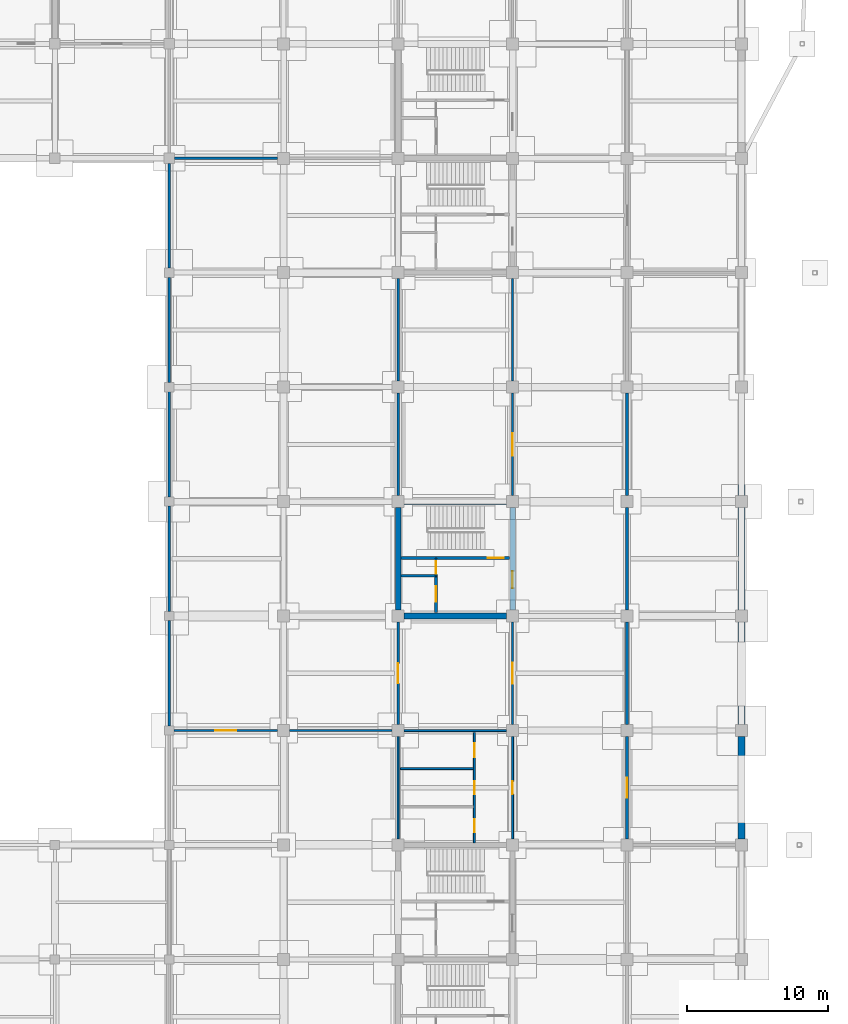
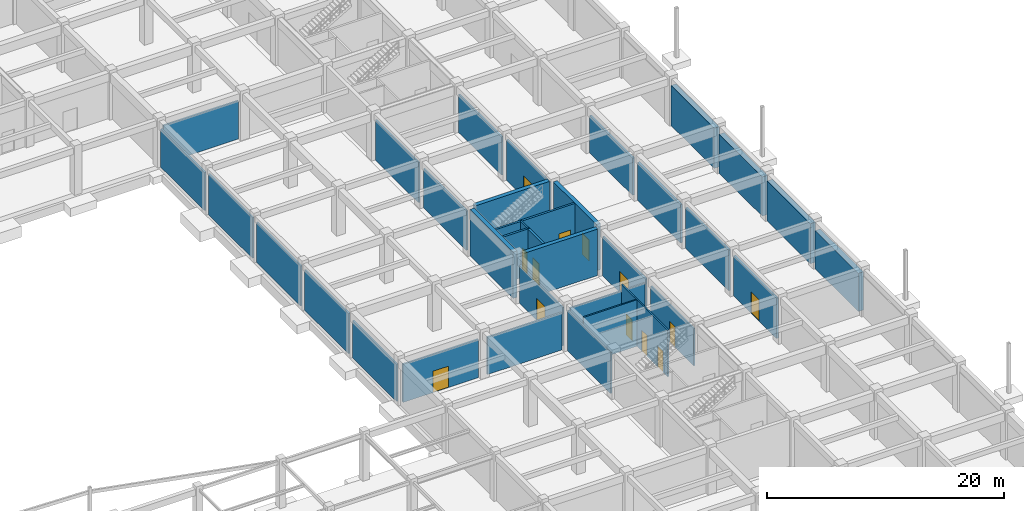
# One storey, part 52 of 67: 35 walls, 13 doors, 13 openings.
"""IFC4 building model written with IfcOpenShell, lengths in metres."""

from ifc_helpers import new_model, si_unit, direction, frame, frame_2d, origin, place, context, subcontext, project, spatial, rectangle, extrude, material, layer, layer_set, type_object, element, fill, save


model = new_model("IFC4")

# Units and contexts
model_context = context("Model", 3, precision=1e-05, world=origin(), true_north=direction((0.0, 1.0)))
body_context = subcontext(model_context, "Body", "Model", "MODEL_VIEW")
ifc_project = project(units=[si_unit("LENGTHUNIT", "METRE"), si_unit("AREAUNIT", "SQUARE_METRE"), si_unit("VOLUMEUNIT", "CUBIC_METRE"), si_unit("PLANEANGLEUNIT", "RADIAN"), si_unit("MASSUNIT", "GRAM", prefix="KILO")], contexts=[model_context])

# Site, building, storey
site_placement = place(None, origin())
site = spatial("IfcSite", under=ifc_project, at=site_placement, CompositionType="ELEMENT")
building_placement = place(site_placement, origin())
building = spatial("IfcBuilding", under=site, at=building_placement, Name="Vaudrelin Polytechnic", CompositionType="ELEMENT")
storey_placement = place(building_placement, frame((0.0, 0.0, -5.10009765625)))
storey = spatial("IfcBuildingStorey", under=building, at=storey_placement, Name="B1", CompositionType="ELEMENT", Elevation=-5.10009765625)

# Wall, opening, door
ifc_material_1 = material(Name="Concrete masonry unit 20 MPa shaft & corridor fire wall", Category="masonry")
ifc_layer_1 = layer(ifc_material_1, 0.199951171875)
ifc_layer_set_1 = layer_set([ifc_layer_1], Name="Concrete masonry unit 20 MPa shaft & corridor fire wall")
wall_type_1 = type_object("IfcWallType", Name="WAL-PW-FIRE120", PredefinedType="PARTITIONING", material=ifc_layer_set_1)
wall_1_placement = place(storey_placement, frame((162.0, 49.02294921875, 0.0), z_axis=(0.0, 0.0, 1.0), x_axis=(0.0, 1.0, 0.0)))
wall_1 = element("IfcWall", 1, at=wall_1_placement, inside=storey, type_object=wall_type_1, Name="Partition B1-027 W", PredefinedType="PARTITIONING", context=body_context, shape_type="SweptSolid", body=[
    extrude(rectangle(XDim=7.254150390625, YDim=0.199951171875, at=frame_2d((3.626953125, 0.0))), origin(), (0.0, 0.0, 1.0), 4.132080078125),
])
opening_1_placement = place(wall_1_placement, frame((2.927001953125, 0.0, 0.0)))
opening_1 = element("IfcOpeningElement", 2, at=opening_1_placement, cuts=wall_1, Name="Opening D-B1-413", PredefinedType="OPENING", context=body_context, shape_type="SweptSolid", body=[
    extrude(rectangle(XDim=1.39990234375, YDim=2.199951171875, at=frame_2d((0.699951171875, 1.10009765625))), frame((0.0, 0.10986328125, 0.0), z_axis=(0.0, -1.0, 0.0), x_axis=(1.0, 0.0, 0.0)), (0.0, 0.0, 1.0), 0.219970703125),
])
ifc_material_2 = material(Name="Pressed galvanised steel acoustic leaf", Category="steel")
door_type_1 = type_object("IfcDoorType", Name="DOR-ID-PLT1", OperationType="NOTDEFINED", PredefinedType="DOOR", material=ifc_material_2)
door_1_placement = place(opening_1_placement, origin())
door_1 = element("IfcDoor", 3, at=door_1_placement, inside=storey, type_object=door_type_1, Name="Air Handling and Heat-Recovery Plant door B1-027", OperationType="DOUBLE_SWING_LEFT", OverallHeight=2.199951171875, OverallWidth=1.39990234375, PredefinedType="DOOR", context=body_context, shape_type="SweptSolid", body=[
    extrude(rectangle(XDim=1.39990234375, YDim=2.199951171875, at=frame_2d((0.699951171875, 1.10009765625))), frame((0.0, 0.02490234375, 0.0), z_axis=(0.0, -1.0, 0.0), x_axis=(1.0, 0.0, 0.0)), (0.0, 0.0, 1.0), 0.050048828125),
])
fill(opening_1, door_1)

# Walls
wall_2_placement = place(storey_placement, frame((162.0, 57.123046875, 0.0), z_axis=(0.0, 0.0, 1.0), x_axis=(0.0, 1.0, 0.0)))
element("IfcWall", 4, at=wall_2_placement, inside=storey, type_object=wall_type_1, Name="Partition B1-027 W", PredefinedType="PARTITIONING", context=body_context, shape_type="SweptSolid", body=[
    extrude(rectangle(XDim=7.25390625, YDim=0.199951171875, at=frame_2d((3.626953125, 0.0))), origin(), (0.0, 0.0, 1.0), 4.18212890625),
])
wall_3_placement = place(storey_placement, frame((162.0, 65.222900390625, 0.0), z_axis=(0.0, 0.0, 1.0), x_axis=(0.0, 1.0, 0.0)))
element("IfcWall", 5, at=wall_3_placement, inside=storey, type_object=wall_type_1, Name="Partition B1-027 W", PredefinedType="PARTITIONING", context=body_context, shape_type="SweptSolid", body=[
    extrude(rectangle(XDim=7.254150390625, YDim=0.199951171875, at=frame_2d((3.626953125, 0.0))), origin(), (0.0, 0.0, 1.0), 3.93212890625),
])
wall_4_placement = place(storey_placement, frame((162.0, 73.322998046875, 0.0), z_axis=(0.0, 0.0, 1.0), x_axis=(0.0, 1.0, 0.0)))
element("IfcWall", 6, at=wall_4_placement, inside=storey, type_object=wall_type_1, Name="Partition B1-027 W", PredefinedType="PARTITIONING", context=body_context, shape_type="SweptSolid", body=[
    extrude(rectangle(XDim=7.25390625, YDim=0.199951171875, at=frame_2d((3.626953125, 0.0))), origin(), (0.0, 0.0, 1.0), 3.83203125),
])

# Wall, opening, door
ifc_material_3 = material(Name="Fire-rated steel-stud gypsum compartment wall", Category="steel")
ifc_layer_2 = layer(ifc_material_3, 0.14990234375)
ifc_layer_set_2 = layer_set([ifc_layer_2], Name="Fire-rated steel-stud gypsum compartment wall")
wall_type_2 = type_object("IfcWallType", Name="WAL-PW-FIRE60", PredefinedType="PARTITIONING", material=ifc_layer_set_2)
wall_5_placement = place(storey_placement, frame((148.47998046875, 67.64990234375, 0.0), z_axis=(0.0, 0.0, 1.0), x_axis=(0.0, 1.0, 0.0)))
wall_5 = element("IfcWall", 7, at=wall_5_placement, inside=storey, type_object=wall_type_2, Name="Core C7 riser enclosure wall B1", PredefinedType="PARTITIONING", context=body_context, shape_type="SweptSolid", body=[
    extrude(rectangle(XDim=1.260009765625, YDim=0.14990234375, at=frame_2d((0.6298828125, 0.0))), origin(), (0.0, 0.0, 1.0), 4.781982421875),
])
opening_2_placement = place(wall_5_placement, frame((0.139892578125, 0.0, 0.0)))
opening_2 = element("IfcOpeningElement", 8, at=opening_2_placement, cuts=wall_5, Name="Opening D-B1-113", PredefinedType="OPENING", context=body_context, shape_type="SweptSolid", body=[
    extrude(rectangle(XDim=0.89990234375, YDim=2.14990234375, at=frame_2d((0.449951171875, 1.074951171875))), frame((0.0, 0.0849609375, 0.0), z_axis=(0.0, -1.0, 0.0), x_axis=(1.0, 0.0, 0.0)), (0.0, 0.0, 1.0), 0.169921875),
])
door_type_2 = type_object("IfcDoorType", Name="DOR-ID-RSR1", OperationType="NOTDEFINED", PredefinedType="DOOR", material=ifc_material_2)
door_2_placement = place(opening_2_placement, origin())
door_2 = element("IfcDoor", 9, at=door_2_placement, inside=storey, type_object=door_type_2, Name="Core C7 riser access door B1", OperationType="SINGLE_SWING_RIGHT", OverallHeight=2.14990234375, OverallWidth=0.89990234375, PredefinedType="DOOR", context=body_context, shape_type="SweptSolid", body=[
    extrude(rectangle(XDim=0.89990234375, YDim=2.14990234375, at=frame_2d((0.449951171875, 1.074951171875))), frame((0.0, 0.02490234375, 0.0), z_axis=(0.0, -1.0, 0.0), x_axis=(1.0, 0.0, 0.0)), (0.0, 0.0, 1.0), 0.050048828125),
])
fill(opening_2, door_2)

ifc_material_4 = material(Name="Moisture- and chemical-resistant laboratory partition", Category="gypsum")
ifc_layer_3 = layer(ifc_material_4, 0.159912109375)
ifc_layer_set_3 = layer_set([ifc_layer_3], Name="Moisture- and chemical-resistant laboratory partition")
wall_type_3 = type_object("IfcWallType", Name="WAL-PW-LAB160", PredefinedType="PARTITIONING", material=ifc_layer_set_3)
wall_6_placement = place(storey_placement, frame((129.923095703125, 56.699951171875, 0.0), z_axis=(0.0, 0.0, 1.0), x_axis=(1.0, 0.0, 0.0)))
wall_6 = element("IfcWall", 10, at=wall_6_placement, inside=storey, type_object=wall_type_3, Name="Partition B1-020 N", PredefinedType="PARTITIONING", context=body_context, shape_type="SweptSolid", body=[
    extrude(rectangle(XDim=7.35400390625, YDim=0.159912109375, at=frame_2d((3.677001953125, 0.0))), origin(), (0.0, 0.0, 1.0), 3.93212890625),
])
opening_3_placement = place(wall_6_placement, frame((2.927001953125, 0.0, 0.0)))
opening_3 = element("IfcOpeningElement", 11, at=opening_3_placement, cuts=wall_6, Name="Opening D-B1-407", PredefinedType="OPENING", context=body_context, shape_type="SweptSolid", body=[
    extrude(rectangle(XDim=1.5, YDim=2.199951171875, at=frame_2d((0.75, 1.10009765625))), frame((0.0, 0.08984375, 0.0), z_axis=(0.0, -1.0, 0.0), x_axis=(1.0, 0.0, 0.0)), (0.0, 0.0, 1.0), 0.179931640625),
])
door_type_3 = type_object("IfcDoorType", Name="DOR-ID-LAB1", OperationType="NOTDEFINED", PredefinedType="DOOR", material=ifc_material_2)
door_3_placement = place(opening_3_placement, origin())
door_3 = element("IfcDoor", 12, at=door_3_placement, inside=storey, type_object=door_type_3, Name="Flume Pump and Filtration Laboratory door B1-020", OperationType="DOUBLE_SWING_LEFT", OverallHeight=2.199951171875, OverallWidth=1.5, PredefinedType="DOOR", context=body_context, shape_type="SweptSolid", body=[
    extrude(rectangle(XDim=1.5, YDim=2.199951171875, at=frame_2d((0.75, 1.10009765625))), frame((0.0, 0.02490234375, 0.0), z_axis=(0.0, -1.0, 0.0), x_axis=(1.0, 0.0, 0.0)), (0.0, 0.0, 1.0), 0.050048828125),
])
fill(opening_3, door_3)

# Wall
wall_7_placement = place(storey_placement, frame((138.123046875, 56.699951171875, 0.0), z_axis=(0.0, 0.0, 1.0), x_axis=(1.0, 0.0, 0.0)))
element("IfcWall", 13, at=wall_7_placement, inside=storey, type_object=wall_type_3, Name="Partition B1-020 N", PredefinedType="PARTITIONING", context=body_context, shape_type="SweptSolid", body=[
    extrude(rectangle(XDim=7.25390625, YDim=0.159912109375, at=frame_2d((3.626953125, 0.0))), origin(), (0.0, 0.0, 1.0), 3.83203125),
])

# Wall, opening, door
wall_8_placement = place(storey_placement, frame((145.800048828125, 57.123046875, 0.0), z_axis=(0.0, 0.0, 1.0), x_axis=(0.0, 1.0, 0.0)))
wall_8 = element("IfcWall", 14, at=wall_8_placement, inside=storey, type_object=wall_type_3, Name="Partition B1-021 E", PredefinedType="PARTITIONING", context=body_context, shape_type="SweptSolid", body=[
    extrude(rectangle(XDim=7.25390625, YDim=0.159912109375, at=frame_2d((3.626953125, 0.0))), origin(), (0.0, 0.0, 1.0), 3.93212890625),
])
opening_4_placement = place(wall_8_placement, frame((2.9169921875, 0.0, 0.0)))
opening_4 = element("IfcOpeningElement", 15, at=opening_4_placement, cuts=wall_8, Name="Opening D-B1-408", PredefinedType="OPENING", context=body_context, shape_type="SweptSolid", body=[
    extrude(rectangle(XDim=1.419921875, YDim=2.25, at=frame_2d((0.7099609375, 1.125))), frame((0.0, 0.08984375, 0.0), z_axis=(0.0, -1.0, 0.0), x_axis=(1.0, 0.0, 0.0)), (0.0, 0.0, 1.0), 0.179931640625),
])
door_type_4 = type_object("IfcDoorType", Name="DOR-ID-LAB4", OperationType="NOTDEFINED", PredefinedType="DOOR", material=ifc_material_2)
door_4_placement = place(opening_4_placement, origin())
door_4 = element("IfcDoor", 16, at=door_4_placement, inside=storey, type_object=door_type_4, Name="Cryogenics and High-Field Magnetics Laboratory door B1-021", OperationType="DOUBLE_SWING_LEFT", OverallHeight=2.25, OverallWidth=1.419921875, PredefinedType="DOOR", context=body_context, shape_type="SweptSolid", body=[
    extrude(rectangle(XDim=1.419921875, YDim=2.25, at=frame_2d((0.7099609375, 1.125))), frame((0.0, 0.02490234375, 0.0), z_axis=(0.0, -1.0, 0.0), x_axis=(1.0, 0.0, 0.0)), (0.0, 0.0, 1.0), 0.050048828125),
])
fill(opening_4, door_4)

# Walls
wall_9_placement = place(storey_placement, frame((145.800048828125, 73.322998046875, 0.0), z_axis=(0.0, 0.0, 1.0), x_axis=(0.0, 1.0, 0.0)))
element("IfcWall", 17, at=wall_9_placement, inside=storey, type_object=wall_type_3, Name="Partition B1-021 E", PredefinedType="PARTITIONING", context=body_context, shape_type="SweptSolid", body=[
    extrude(rectangle(XDim=7.25390625, YDim=0.159912109375, at=frame_2d((3.626953125, 0.0))), origin(), (0.0, 0.0, 1.0), 4.031982421875),
])
wall_10_placement = place(storey_placement, frame((145.800048828125, 81.423095703125, 0.0), z_axis=(0.0, 0.0, 1.0), x_axis=(0.0, 1.0, 0.0)))
element("IfcWall", 18, at=wall_10_placement, inside=storey, type_object=wall_type_3, Name="Partition B1-021 E", PredefinedType="PARTITIONING", context=body_context, shape_type="SweptSolid", body=[
    extrude(rectangle(XDim=7.25390625, YDim=0.159912109375, at=frame_2d((3.626953125, 0.0))), origin(), (0.0, 0.0, 1.0), 4.132080078125),
])
wall_11_placement = place(storey_placement, frame((129.972900390625, 97.199951171875, 0.0), z_axis=(0.0, 0.0, 1.0), x_axis=(1.0, 0.0, 0.0)))
element("IfcWall", 19, at=wall_11_placement, inside=storey, type_object=wall_type_3, Name="Partition B1-021 N", PredefinedType="PARTITIONING", context=body_context, shape_type="SweptSolid", body=[
    extrude(rectangle(XDim=7.30419921875, YDim=0.159912109375, at=frame_2d((3.652099609375, 0.0))), origin(), (0.0, 0.0, 1.0), 3.93212890625),
])
wall_12_placement = place(storey_placement, frame((129.60009765625, 57.02294921875, 0.0), z_axis=(0.0, 0.0, 1.0), x_axis=(0.0, 1.0, 0.0)))
element("IfcWall", 20, at=wall_12_placement, inside=storey, type_object=wall_type_3, Name="Partition B1-021 W", PredefinedType="PARTITIONING", context=body_context, shape_type="SweptSolid", body=[
    extrude(rectangle(XDim=7.4541015625, YDim=0.159912109375, at=frame_2d((3.72705078125, 0.0))), origin(), (0.0, 0.0, 1.0), 3.83203125),
])
wall_13_placement = place(storey_placement, frame((129.60009765625, 65.123046875, 0.0), z_axis=(0.0, 0.0, 1.0), x_axis=(0.0, 1.0, 0.0)))
element("IfcWall", 21, at=wall_13_placement, inside=storey, type_object=wall_type_3, Name="Partition B1-021 W", PredefinedType="PARTITIONING", context=body_context, shape_type="SweptSolid", body=[
    extrude(rectangle(XDim=7.453857421875, YDim=0.159912109375, at=frame_2d((3.72705078125, 0.0))), origin(), (0.0, 0.0, 1.0), 4.132080078125),
])
wall_14_placement = place(storey_placement, frame((129.60009765625, 73.222900390625, 0.0), z_axis=(0.0, 0.0, 1.0), x_axis=(0.0, 1.0, 0.0)))
element("IfcWall", 22, at=wall_14_placement, inside=storey, type_object=wall_type_3, Name="Partition B1-021 W", PredefinedType="PARTITIONING", context=body_context, shape_type="SweptSolid", body=[
    extrude(rectangle(XDim=7.4541015625, YDim=0.159912109375, at=frame_2d((3.72705078125, 0.0))), origin(), (0.0, 0.0, 1.0), 4.132080078125),
])
wall_15_placement = place(storey_placement, frame((129.60009765625, 81.322998046875, 0.0), z_axis=(0.0, 0.0, 1.0), x_axis=(0.0, 1.0, 0.0)))
element("IfcWall", 23, at=wall_15_placement, inside=storey, type_object=wall_type_3, Name="Partition B1-021 W", PredefinedType="PARTITIONING", context=body_context, shape_type="SweptSolid", body=[
    extrude(rectangle(XDim=7.4541015625, YDim=0.159912109375, at=frame_2d((3.72705078125, 0.0))), origin(), (0.0, 0.0, 1.0), 4.18212890625),
])
wall_16_placement = place(storey_placement, frame((129.60009765625, 89.423095703125, 0.0), z_axis=(0.0, 0.0, 1.0), x_axis=(0.0, 1.0, 0.0)))
element("IfcWall", 24, at=wall_16_placement, inside=storey, type_object=wall_type_3, Name="Partition B1-021 W", PredefinedType="PARTITIONING", context=body_context, shape_type="SweptSolid", body=[
    extrude(rectangle(XDim=7.40380859375, YDim=0.159912109375, at=frame_2d((3.701904296875, 0.0))), origin(), (0.0, 0.0, 1.0), 3.93212890625),
])

# Wall, opening, door
wall_17_placement = place(storey_placement, frame((153.89990234375, 73.322998046875, 0.0), z_axis=(0.0, 0.0, 1.0), x_axis=(0.0, 1.0, 0.0)))
wall_17 = element("IfcWall", 25, at=wall_17_placement, inside=storey, type_object=wall_type_3, Name="Partition B1-022 E", PredefinedType="PARTITIONING", context=body_context, shape_type="SweptSolid", body=[
    extrude(rectangle(XDim=7.25390625, YDim=0.159912109375, at=frame_2d((3.626953125, 0.0))), origin(), (0.0, 0.0, 1.0), 4.18212890625),
])
opening_5_placement = place(wall_17_placement, frame((2.8369140625, 0.0, 0.0)))
opening_5 = element("IfcOpeningElement", 26, at=opening_5_placement, cuts=wall_17, Name="Opening D-B1-409", PredefinedType="OPENING", context=body_context, shape_type="SweptSolid", body=[
    extrude(rectangle(XDim=1.580078125, YDim=2.199951171875, at=frame_2d((0.7900390625, 1.10009765625))), frame((0.0, 0.08984375, 0.0), z_axis=(0.0, -1.0, 0.0), x_axis=(1.0, 0.0, 0.0)), (0.0, 0.0, 1.0), 0.179931640625),
])
door_type_5 = type_object("IfcDoorType", Name="DOR-ID-LAB3", OperationType="NOTDEFINED", PredefinedType="DOOR", material=ifc_material_2)
door_5_placement = place(opening_5_placement, origin())
door_5 = element("IfcDoor", 27, at=door_5_placement, inside=storey, type_object=door_type_5, Name="Superconducting Coil Prep Laboratory door B1-022", OperationType="DOUBLE_SWING_LEFT", OverallHeight=2.199951171875, OverallWidth=1.580078125, PredefinedType="DOOR", context=body_context, shape_type="SweptSolid", body=[
    extrude(rectangle(XDim=1.580078125, YDim=2.199951171875, at=frame_2d((0.7900390625, 1.10009765625))), frame((0.0, 0.02490234375, 0.0), z_axis=(0.0, -1.0, 0.0), x_axis=(1.0, 0.0, 0.0)), (0.0, 0.0, 1.0), 0.050048828125),
])
fill(opening_5, door_5)

# Wall
wall_18_placement = place(storey_placement, frame((153.89990234375, 81.423095703125, 0.0), z_axis=(0.0, 0.0, 1.0), x_axis=(0.0, 1.0, 0.0)))
element("IfcWall", 28, at=wall_18_placement, inside=storey, type_object=wall_type_3, Name="Partition B1-022 E", PredefinedType="PARTITIONING", context=body_context, shape_type="SweptSolid", body=[
    extrude(rectangle(XDim=7.25390625, YDim=0.159912109375, at=frame_2d((3.626953125, 0.0))), origin(), (0.0, 0.0, 1.0), 3.93212890625),
])

# Wall, opening, door
wall_19_placement = place(storey_placement, frame((153.89990234375, 57.123046875, 0.0), z_axis=(0.0, 0.0, 1.0), x_axis=(0.0, 1.0, 0.0)))
wall_19 = element("IfcWall", 29, at=wall_19_placement, inside=storey, type_object=wall_type_3, Name="Partition B1-037 E", PredefinedType="PARTITIONING", context=body_context, shape_type="SweptSolid", body=[
    extrude(rectangle(XDim=7.25390625, YDim=0.159912109375, at=frame_2d((3.626953125, 0.0))), origin(), (0.0, 0.0, 1.0), 4.031982421875),
])
opening_6_placement = place(wall_19_placement, frame((2.876953125, 0.0, 0.0)))
opening_6 = element("IfcOpeningElement", 30, at=opening_6_placement, cuts=wall_19, Name="Opening D-B1-420", PredefinedType="OPENING", context=body_context, shape_type="SweptSolid", body=[
    extrude(rectangle(XDim=1.5, YDim=2.199951171875, at=frame_2d((0.75, 1.10009765625))), frame((0.0, 0.08984375, 0.0), z_axis=(0.0, -1.0, 0.0), x_axis=(1.0, 0.0, 0.0)), (0.0, 0.0, 1.0), 0.179931640625),
])
door_6_placement = place(opening_6_placement, origin())
door_6 = element("IfcDoor", 31, at=door_6_placement, inside=storey, type_object=door_type_3, Name="Cryogenics Gas Manifold Room door B1-037", OperationType="DOUBLE_SWING_LEFT", OverallHeight=2.199951171875, OverallWidth=1.5, PredefinedType="DOOR", context=body_context, shape_type="SweptSolid", body=[
    extrude(rectangle(XDim=1.5, YDim=2.199951171875, at=frame_2d((0.75, 1.10009765625))), frame((0.0, 0.02490234375, 0.0), z_axis=(0.0, -1.0, 0.0), x_axis=(1.0, 0.0, 0.0)), (0.0, 0.0, 1.0), 0.050048828125),
])
fill(opening_6, door_6)

# Walls
ifc_material_5 = material(Name="Cement-board tiled wet-wall washroom partition", Category="gypsum")
ifc_layer_4 = layer(ifc_material_5, 0.139892578125)
ifc_layer_set_4 = layer_set([ifc_layer_4], Name="Cement-board tiled wet-wall washroom partition")
wall_type_4 = type_object("IfcWallType", Name="WAL-PW-WC140", PredefinedType="PARTITIONING", material=ifc_layer_set_4)
wall_20_placement = place(storey_placement, frame((146.222900390625, 56.699951171875, 0.0), z_axis=(0.0, 0.0, 1.0), x_axis=(1.0, 0.0, 0.0)))
element("IfcWall", 32, at=wall_20_placement, inside=storey, type_object=wall_type_4, Name="Washroom enclosure wall B1-18-6-N", PredefinedType="PARTITIONING", context=body_context, shape_type="SweptSolid", body=[
    extrude(rectangle(XDim=7.254150390625, YDim=0.139892578125, at=frame_2d((3.626953125, 0.0))), origin(), (0.0, 0.0, 1.0), 4.030029296875),
])
wall_21_placement = place(storey_placement, frame((145.800048828125, 49.02294921875, 0.0), z_axis=(0.0, 0.0, 1.0), x_axis=(0.0, 1.0, 0.0)))
element("IfcWall", 33, at=wall_21_placement, inside=storey, type_object=wall_type_4, Name="Washroom enclosure wall B1-18-6-W", PredefinedType="PARTITIONING", context=body_context, shape_type="SweptSolid", body=[
    extrude(rectangle(XDim=7.254150390625, YDim=0.139892578125, at=frame_2d((3.626953125, 0.0))), origin(), (0.0, 0.0, 1.0), 4.18017578125),
])

# Wall, opening, door
wall_22_placement = place(storey_placement, frame((153.89990234375, 49.02294921875, 0.0), z_axis=(0.0, 0.0, 1.0), x_axis=(0.0, 1.0, 0.0)))
wall_22 = element("IfcWall", 34, at=wall_22_placement, inside=storey, type_object=wall_type_4, Name="Washroom enclosure wall B1-18-6-E", PredefinedType="PARTITIONING", context=body_context, shape_type="SweptSolid", body=[
    extrude(rectangle(XDim=7.254150390625, YDim=0.139892578125, at=frame_2d((3.626953125, 0.0))), origin(), (0.0, 0.0, 1.0), 3.830078125),
])
opening_7_placement = place(wall_22_placement, frame((3.1669921875, 0.0, 0.0)))
opening_7 = element("IfcOpeningElement", 35, at=opening_7_placement, cuts=wall_22, Name="Opening D-B1-333", PredefinedType="OPENING", context=body_context, shape_type="SweptSolid", body=[
    extrude(rectangle(XDim=0.919921875, YDim=2.14990234375, at=frame_2d((0.4599609375, 1.074951171875))), frame((0.0, 0.080078125, 0.0), z_axis=(0.0, -1.0, 0.0), x_axis=(1.0, 0.0, 0.0)), (0.0, 0.0, 1.0), 0.159912109375),
])
ifc_material_6 = material(Name="Solid-core birch veneer acoustic leaf", Category="wood")
door_type_6 = type_object("IfcDoorType", Name="DOR-ID-WC1", OperationType="NOTDEFINED", PredefinedType="DOOR", material=ifc_material_6)
door_7_placement = place(opening_7_placement, origin())
door_7 = element("IfcDoor", 36, at=door_7_placement, inside=storey, type_object=door_type_6, Name="Washroom vestibule door B1-18-6-E", OperationType="SINGLE_SWING_LEFT", OverallHeight=2.14990234375, OverallWidth=0.919921875, PredefinedType="DOOR", context=body_context, shape_type="SweptSolid", body=[
    extrude(rectangle(XDim=0.919921875, YDim=2.14990234375, at=frame_2d((0.4599609375, 1.074951171875))), frame((0.0, 0.02490234375, 0.0), z_axis=(0.0, -1.0, 0.0), x_axis=(1.0, 0.0, 0.0)), (0.0, 0.0, 1.0), 0.050048828125),
])
fill(opening_7, door_7)

# Wall, openings, doors
wall_23_placement = place(storey_placement, frame((151.199951171875, 48.75, 0.0), z_axis=(0.0, 0.0, 1.0), x_axis=(0.0, 1.0, 0.0)))
wall_23 = element("IfcWall", 37, at=wall_23_placement, inside=storey, type_object=wall_type_4, Name="Washroom vestibule divider B1-18-6", PredefinedType="PARTITIONING", context=body_context, shape_type="SweptSolid", body=[
    extrude(rectangle(XDim=7.800048828125, YDim=0.139892578125, at=frame_2d((3.89990234375, 0.0))), origin(), (0.0, 0.0, 1.0), 4.781982421875),
])
opening_8_placement = place(wall_23_placement, frame((0.75, 0.0, 0.0)))
opening_8 = element("IfcOpeningElement", 38, at=opening_8_placement, cuts=wall_23, Name="Opening D-B1-334", PredefinedType="OPENING", context=body_context, shape_type="SweptSolid", body=[
    extrude(rectangle(XDim=0.919921875, YDim=2.14990234375, at=frame_2d((0.4599609375, 1.074951171875))), frame((0.0, 0.080078125, 0.0), z_axis=(0.0, -1.0, 0.0), x_axis=(1.0, 0.0, 0.0)), (0.0, 0.0, 1.0), 0.159912109375),
])
opening_9_placement = place(wall_23_placement, frame((3.43994140625, 0.0, 0.0)))
opening_9 = element("IfcOpeningElement", 39, at=opening_9_placement, cuts=wall_23, Name="Opening D-B1-335", PredefinedType="OPENING", context=body_context, shape_type="SweptSolid", body=[
    extrude(rectangle(XDim=0.919921875, YDim=2.14990234375, at=frame_2d((0.4599609375, 1.074951171875))), frame((0.0, 0.080078125, 0.0), z_axis=(0.0, -1.0, 0.0), x_axis=(1.0, 0.0, 0.0)), (0.0, 0.0, 1.0), 0.159912109375),
])
opening_10_placement = place(wall_23_placement, frame((6.050048828125, 0.0, 0.0)))
opening_10 = element("IfcOpeningElement", 40, at=opening_10_placement, cuts=wall_23, Name="Opening D-B1-336", PredefinedType="OPENING", context=body_context, shape_type="SweptSolid", body=[
    extrude(rectangle(XDim=1.0, YDim=2.14990234375, at=frame_2d((0.5, 1.074951171875))), frame((0.0, 0.080078125, 0.0), z_axis=(0.0, -1.0, 0.0), x_axis=(1.0, 0.0, 0.0)), (0.0, 0.0, 1.0), 0.159912109375),
])
door_type_7 = type_object("IfcDoorType", Name="DOR-ID-AWC1", OperationType="NOTDEFINED", PredefinedType="DOOR", material=ifc_material_6)
door_8_placement = place(opening_10_placement, origin())
door_8 = element("IfcDoor", 41, at=door_8_placement, inside=storey, type_object=door_type_7, Name="Washroom stall-room door B1-18-6-3", OperationType="SINGLE_SWING_LEFT", OverallHeight=2.14990234375, OverallWidth=1.0, PredefinedType="DOOR", context=body_context, shape_type="SweptSolid", body=[
    extrude(rectangle(XDim=1.0, YDim=2.14990234375, at=frame_2d((0.5, 1.074951171875))), frame((0.0, 0.02490234375, 0.0), z_axis=(0.0, -1.0, 0.0), x_axis=(1.0, 0.0, 0.0)), (0.0, 0.0, 1.0), 0.050048828125),
])
fill(opening_10, door_8)
door_9_placement = place(opening_8_placement, origin())
door_9 = element("IfcDoor", 42, at=door_9_placement, inside=storey, type_object=door_type_6, Name="Washroom stall-room door B1-18-6-1", OperationType="SINGLE_SWING_LEFT", OverallHeight=2.14990234375, OverallWidth=0.919921875, PredefinedType="DOOR", context=body_context, shape_type="SweptSolid", body=[
    extrude(rectangle(XDim=0.919921875, YDim=2.14990234375, at=frame_2d((0.4599609375, 1.074951171875))), frame((0.0, 0.02490234375, 0.0), z_axis=(0.0, -1.0, 0.0), x_axis=(1.0, 0.0, 0.0)), (0.0, 0.0, 1.0), 0.050048828125),
])
fill(opening_8, door_9)
door_10_placement = place(opening_9_placement, origin())
door_10 = element("IfcDoor", 43, at=door_10_placement, inside=storey, type_object=door_type_6, Name="Washroom stall-room door B1-18-6-2", OperationType="SINGLE_SWING_RIGHT", OverallHeight=2.14990234375, OverallWidth=0.919921875, PredefinedType="DOOR", context=body_context, shape_type="SweptSolid", body=[
    extrude(rectangle(XDim=0.919921875, YDim=2.14990234375, at=frame_2d((0.4599609375, 1.074951171875))), frame((0.0, 0.02490234375, 0.0), z_axis=(0.0, -1.0, 0.0), x_axis=(1.0, 0.0, 0.0)), (0.0, 0.0, 1.0), 0.050048828125),
])
fill(opening_9, door_10)

# Wall
wall_24_placement = place(storey_placement, frame((145.949951171875, 54.0, 0.0), z_axis=(0.0, 0.0, 1.0), x_axis=(1.0, 0.0, 0.0)))
element("IfcWall", 44, at=wall_24_placement, inside=storey, type_object=wall_type_4, Name="Washroom separation wall B1-18-6-2", PredefinedType="PARTITIONING", context=body_context, shape_type="SweptSolid", body=[
    extrude(rectangle(XDim=5.179931640625, YDim=0.139892578125, at=frame_2d((2.58984375, 0.0))), origin(), (0.0, 0.0, 1.0), 4.781982421875),
])

# Wall, opening, door
ifc_material_7 = material(Name="Concrete 40 MPa", Category="concrete")
ifc_layer_5 = layer(ifc_material_7, 0.199951171875)
ifc_layer_set_5 = layer_set([ifc_layer_5], Name="Concrete 40 MPa")
wall_type_5 = type_object("IfcWallType", Name="WAL-SW-CORE200", PredefinedType="SHEAR", material=ifc_layer_set_5)
wall_25_placement = place(storey_placement, frame((146.02001953125, 68.909912109375, 0.0), z_axis=(0.0, 0.0, 1.0), x_axis=(1.0, 0.0, 0.0)))
wall_25 = element("IfcWall", 45, at=wall_25_placement, inside=storey, type_object=wall_type_5, Name="Core C7 stair enclosure wall B1", PredefinedType="SHEAR", context=body_context, shape_type="SweptSolid", body=[
    extrude(rectangle(XDim=7.659912109375, YDim=0.199951171875, at=frame_2d((3.830078125, 0.0))), origin(), (0.0, 0.0, 1.0), 4.781982421875),
])
opening_11_placement = place(wall_25_placement, frame((6.110107421875, 0.0, 0.0)))
opening_11 = element("IfcOpeningElement", 46, at=opening_11_placement, cuts=wall_25, Name="Opening D-B1-112", PredefinedType="OPENING", context=body_context, shape_type="SweptSolid", body=[
    extrude(rectangle(XDim=1.14990234375, YDim=2.199951171875, at=frame_2d((0.574951171875, 1.10009765625))), frame((0.0, 0.10986328125, 0.0), z_axis=(0.0, -1.0, 0.0), x_axis=(1.0, 0.0, 0.0)), (0.0, 0.0, 1.0), 0.219970703125),
])
door_type_8 = type_object("IfcDoorType", Name="DOR-ID-ST1", OperationType="NOTDEFINED", PredefinedType="DOOR", material=ifc_material_2)
door_11_placement = place(opening_11_placement, origin())
door_11 = element("IfcDoor", 47, at=door_11_placement, inside=storey, type_object=door_type_8, Name="Core C7 exit stair door B1", OperationType="SINGLE_SWING_LEFT", OverallHeight=2.199951171875, OverallWidth=1.14990234375, PredefinedType="DOOR", context=body_context, shape_type="SweptSolid", body=[
    extrude(rectangle(XDim=1.14990234375, YDim=2.199951171875, at=frame_2d((0.574951171875, 1.10009765625))), frame((0.0, 0.02490234375, 0.0), z_axis=(0.0, -1.0, 0.0), x_axis=(1.0, 0.0, 0.0)), (0.0, 0.0, 1.0), 0.050048828125),
])
fill(opening_11, door_11)

wall_26_placement = place(storey_placement, frame((148.47998046875, 65.050048828125, 0.0), z_axis=(0.0, 0.0, 1.0), x_axis=(0.0, 1.0, 0.0)))
wall_26 = element("IfcWall", 48, at=wall_26_placement, inside=storey, type_object=wall_type_5, Name="Lift LF-07 shaft front wall B1", PredefinedType="SHEAR", context=body_context, shape_type="SweptSolid", body=[
    extrude(rectangle(XDim=2.599853515625, YDim=0.199951171875, at=frame_2d((1.2998046875, 0.0))), origin(), (0.0, 0.0, 1.0), 4.781982421875),
])
opening_12_placement = place(wall_26_placement, frame((0.75, 0.0, 0.0)))
opening_12 = element("IfcOpeningElement", 49, at=opening_12_placement, cuts=wall_26, Name="Opening LD-LF-07-B1", PredefinedType="OPENING", context=body_context, shape_type="SweptSolid", body=[
    extrude(rectangle(XDim=1.10009765625, YDim=2.199951171875, at=frame_2d((0.550048828125, 1.10009765625))), frame((0.0, 0.10986328125, 0.0), z_axis=(0.0, -1.0, 0.0), x_axis=(1.0, 0.0, 0.0)), (0.0, 0.0, 1.0), 0.219970703125),
])
ifc_material_8 = material(Name="Brushed stainless steel AISI 304", Category="steel")
door_type_9 = type_object("IfcDoorType", Name="DOR-LD-PAX", OperationType="SLIDING_TO_LEFT", PredefinedType="DOOR", material=ifc_material_8)
door_12_placement = place(opening_12_placement, origin())
door_12 = element("IfcDoor", 50, at=door_12_placement, inside=storey, type_object=door_type_9, Name="Lift LF-07 landing door B1", OperationType="SLIDING_TO_LEFT", OverallHeight=2.199951171875, OverallWidth=1.10009765625, PredefinedType="DOOR", context=body_context, shape_type="SweptSolid", body=[
    extrude(rectangle(XDim=1.10009765625, YDim=2.199951171875, at=frame_2d((0.550048828125, 1.10009765625))), frame((0.0, 0.02490234375, 0.0), z_axis=(0.0, -1.0, 0.0), x_axis=(1.0, 0.0, 0.0)), (0.0, 0.0, 1.0), 0.050048828125),
])
fill(opening_12, door_12)

# Walls
wall_27_placement = place(storey_placement, frame((146.02001953125, 67.64990234375, 0.0), z_axis=(0.0, 0.0, 1.0), x_axis=(1.0, 0.0, 0.0)))
element("IfcWall", 51, at=wall_27_placement, inside=storey, type_object=wall_type_5, Name="Lift LF-07 shaft north wall B1", PredefinedType="SHEAR", context=body_context, shape_type="SweptSolid", body=[
    extrude(rectangle(XDim=2.56005859375, YDim=0.199951171875, at=frame_2d((1.280029296875, 0.0))), origin(), (0.0, 0.0, 1.0), 4.781982421875),
])
ifc_material_9 = material(Name="Concrete 50 MPa", Category="concrete")
ifc_layer_6 = layer(ifc_material_9, 0.39990234375)
ifc_layer_set_6 = layer_set([ifc_layer_6], Name="Concrete 50 MPa")
wall_type_6 = type_object("IfcWallType", Name="WAL-SW-CORE400", PredefinedType="SHEAR", material=ifc_layer_set_6)
for number, where, z_axis, x_axis, name in (
    (52, (146.222900390625, 72.89990234375, 0.0), (0.0, 0.0, 1.0), (1.0, 0.0, 0.0), "Core C7 N shear wall B1"),
    (53, (145.800048828125, 65.222900390625, 0.0), (0.0, 0.0, 1.0), (0.0, 1.0, 0.0), "Core C7 W shear wall B1"),
):
    element("IfcWall", number, at=place(storey_placement, frame(where, z_axis=z_axis, x_axis=x_axis)), inside=storey, type_object=wall_type_6, Name=name, PredefinedType="SHEAR", context=body_context, shape_type="SweptSolid", body=[
        extrude(rectangle(XDim=7.254150390625, YDim=0.39990234375, at=frame_2d((3.626953125, 0.0))), origin(), (0.0, 0.0, 1.0), 4.781982421875),
    ])

# Wall, opening, door
wall_28_placement = place(storey_placement, frame((153.89990234375, 65.222900390625, 0.0), z_axis=(0.0, 0.0, 1.0), x_axis=(0.0, 1.0, 0.0)))
wall_28 = element("IfcWall", 54, at=wall_28_placement, inside=storey, type_object=wall_type_6, Name="Core C7 E shear wall B1", PredefinedType="SHEAR", context=body_context, shape_type="SweptSolid", body=[
    extrude(rectangle(XDim=7.254150390625, YDim=0.39990234375, at=frame_2d((3.626953125, 0.0))), origin(), (0.0, 0.0, 1.0), 4.781982421875),
])
opening_13_placement = place(wall_28_placement, frame((1.550048828125, 0.0, 0.0)))
opening_13 = element("IfcOpeningElement", 55, at=opening_13_placement, cuts=wall_28, Name="Opening D-B1-111", PredefinedType="OPENING", context=body_context, shape_type="SweptSolid", body=[
    extrude(rectangle(XDim=1.199951171875, YDim=2.199951171875, at=frame_2d((0.60009765625, 1.10009765625))), frame((0.0, 0.2099609375, 0.0), z_axis=(0.0, -1.0, 0.0), x_axis=(1.0, 0.0, 0.0)), (0.0, 0.0, 1.0), 0.419921875),
])
door_type_10 = type_object("IfcDoorType", Name="DOR-ID-LB1", OperationType="NOTDEFINED", PredefinedType="DOOR", material=ifc_material_2)
door_13_placement = place(opening_13_placement, origin())
door_13 = element("IfcDoor", 56, at=door_13_placement, inside=storey, type_object=door_type_10, Name="Core C7 lobby fire door B1", OperationType="SINGLE_SWING_RIGHT", OverallHeight=2.199951171875, OverallWidth=1.199951171875, PredefinedType="DOOR", context=body_context, shape_type="SweptSolid", body=[
    extrude(rectangle(XDim=1.199951171875, YDim=2.199951171875, at=frame_2d((0.60009765625, 1.10009765625))), frame((0.0, 0.02490234375, 0.0), z_axis=(0.0, -1.0, 0.0), x_axis=(1.0, 0.0, 0.0)), (0.0, 0.0, 1.0), 0.050048828125),
])
fill(opening_13, door_13)

# Walls
wall_29_placement = place(storey_placement, frame((146.222900390625, 64.800048828125, 0.0), z_axis=(0.0, 0.0, 1.0), x_axis=(1.0, 0.0, 0.0)))
element("IfcWall", 57, at=wall_29_placement, inside=storey, type_object=wall_type_6, Name="Core C7 S shear wall B1", PredefinedType="SHEAR", context=body_context, shape_type="SweptSolid", body=[
    extrude(rectangle(XDim=7.254150390625, YDim=0.39990234375, at=frame_2d((3.626953125, 0.0))), origin(), (0.0, 0.0, 1.0), 4.781982421875),
])
ifc_material_10 = material(Name="Concrete 35 MPa", Category="concrete")
ifc_layer_7 = layer(ifc_material_10, 0.5)
ifc_layer_set_7 = layer_set([ifc_layer_7], Name="Concrete 35 MPa")
wall_type_7 = type_object("IfcWallType", Name="WAL-SW-RET500", PredefinedType="SOLIDWALL", material=ifc_layer_set_7)
wall_30_placement = place(storey_placement, frame((170.10009765625, 49.010009765625, 0.0), z_axis=(0.0, 0.0, 1.0), x_axis=(0.0, 1.0, 0.0)))
element("IfcWall", 58, at=wall_30_placement, inside=storey, type_object=wall_type_7, Name="Basement retaining wall RET-E-V4-5", PredefinedType="SOLIDWALL", context=body_context, shape_type="SweptSolid", body=[
    extrude(rectangle(XDim=7.280029296875, YDim=0.5, at=frame_2d((3.64013671875, 0.0))), origin(), (0.0, 0.0, 1.0), 3.93017578125),
])
wall_31_placement = place(storey_placement, frame((170.10009765625, 57.110107421875, 0.0), z_axis=(0.0, 0.0, 1.0), x_axis=(0.0, 1.0, 0.0)))
element("IfcWall", 59, at=wall_31_placement, inside=storey, type_object=wall_type_7, Name="Basement retaining wall RET-E-V4-6", PredefinedType="SOLIDWALL", context=body_context, shape_type="SweptSolid", body=[
    extrude(rectangle(XDim=7.27978515625, YDim=0.5, at=frame_2d((3.639892578125, 0.0))), origin(), (0.0, 0.0, 1.0), 4.130126953125),
])
wall_32_placement = place(storey_placement, frame((170.10009765625, 65.2099609375, 0.0), z_axis=(0.0, 0.0, 1.0), x_axis=(0.0, 1.0, 0.0)))
element("IfcWall", 60, at=wall_32_placement, inside=storey, type_object=wall_type_7, Name="Basement retaining wall RET-E-V4-7", PredefinedType="SOLIDWALL", context=body_context, shape_type="SweptSolid", body=[
    extrude(rectangle(XDim=7.280029296875, YDim=0.5, at=frame_2d((3.64013671875, 0.0))), origin(), (0.0, 0.0, 1.0), 4.030029296875),
])
wall_33_placement = place(storey_placement, frame((170.10009765625, 73.31005859375, 0.0), z_axis=(0.0, 0.0, 1.0), x_axis=(0.0, 1.0, 0.0)))
element("IfcWall", 61, at=wall_33_placement, inside=storey, type_object=wall_type_7, Name="Basement retaining wall RET-E-V4-8", PredefinedType="SOLIDWALL", context=body_context, shape_type="SweptSolid", body=[
    extrude(rectangle(XDim=7.280029296875, YDim=0.5, at=frame_2d((3.64013671875, 0.0))), origin(), (0.0, 0.0, 1.0), 4.130126953125),
])

save(model, "model.ifc")
